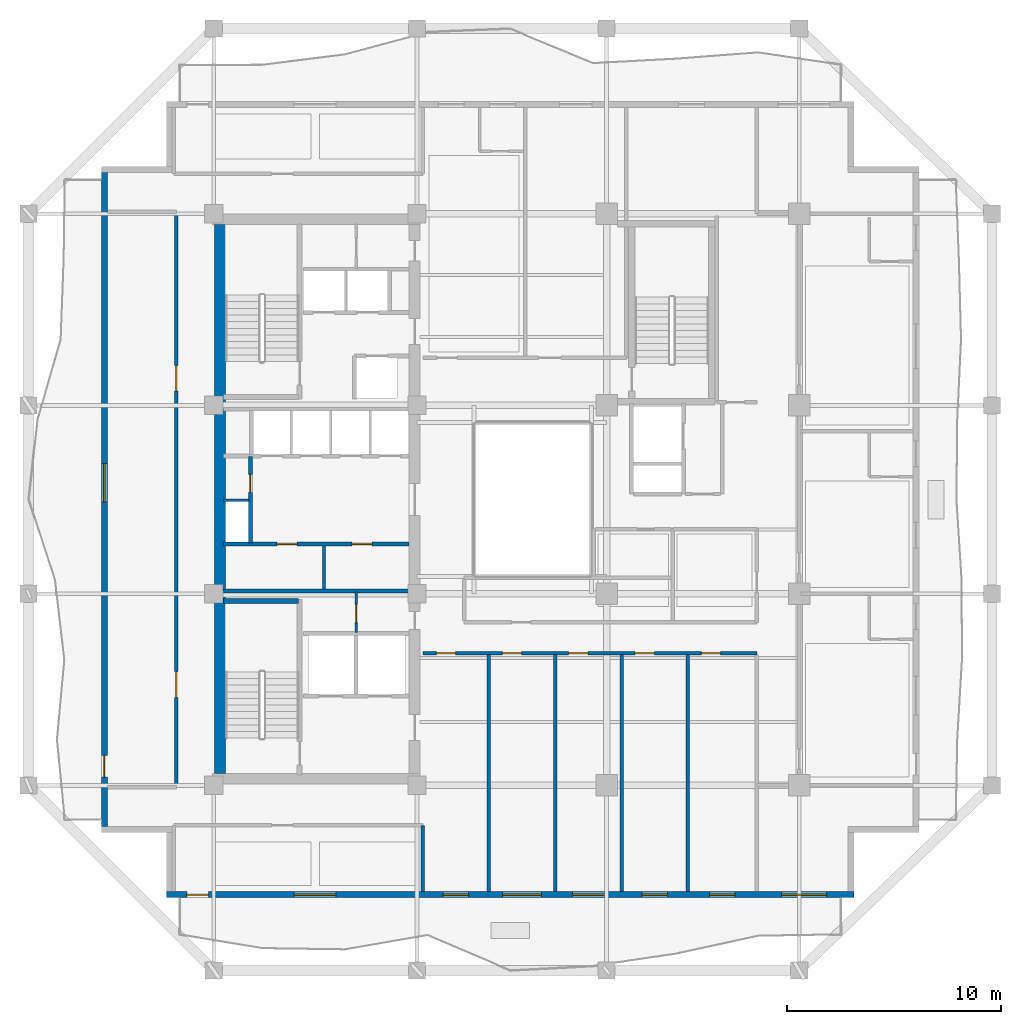
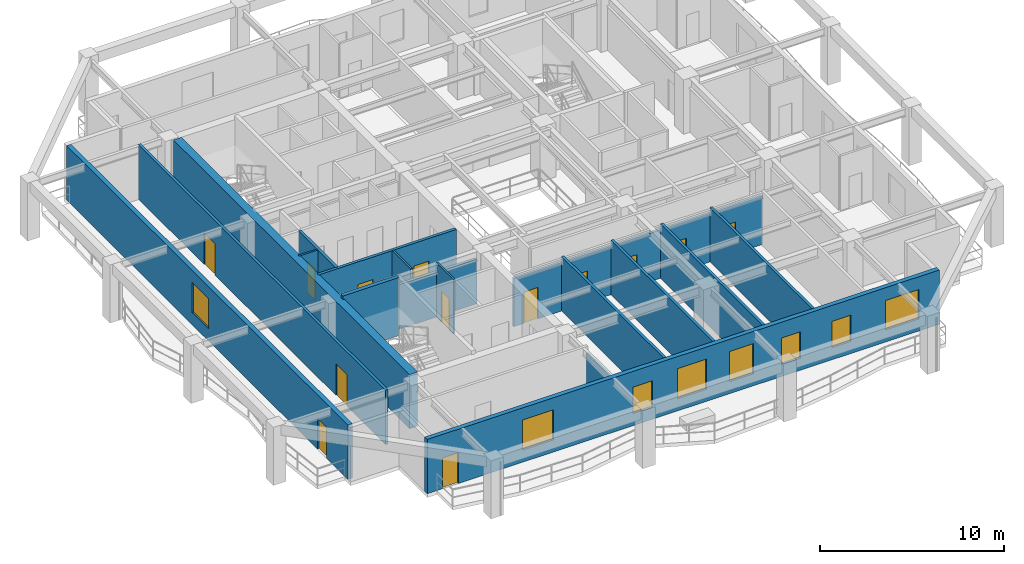
# One storey, part 3 of 11: 17 walls, 13 doors, 8 windows, 21 openings.
"""IFC4 building model written with IfcOpenShell, lengths in metres."""

from ifc_helpers import new_model, si_unit, direction, frame, frame_2d, origin, place, context, subcontext, project, spatial, rectangle, extrude, material, layer, layer_set, type_object, element, fill, save


model = new_model("IFC4")

# Units and contexts
model_context = context("Model", 3, precision=1e-05, world=origin(), true_north=direction((0.0, 1.0)))
body_context = subcontext(model_context, "Body", "Model", "MODEL_VIEW")
ifc_project = project(units=[si_unit("LENGTHUNIT", "METRE"), si_unit("AREAUNIT", "SQUARE_METRE"), si_unit("VOLUMEUNIT", "CUBIC_METRE"), si_unit("PLANEANGLEUNIT", "RADIAN"), si_unit("MASSUNIT", "GRAM", prefix="KILO")], contexts=[model_context])

# Site, building, storey
site_placement = place(None, origin())
site = spatial("IfcSite", under=ifc_project, at=site_placement, CompositionType="ELEMENT")
building_placement = place(site_placement, origin())
building = spatial("IfcBuilding", under=site, at=building_placement, Name="Kundavana Baori Tower", CompositionType="ELEMENT")
storey_placement = place(building_placement, frame((0.0, 0.0, 142.5)))
storey = spatial("IfcBuildingStorey", under=building, at=storey_placement, Name="L34", CompositionType="ELEMENT", Elevation=142.5)

# Walls
ifc_material_1 = material(Name="Concrete C50/60", Category="concrete")
ifc_layer_1 = layer(ifc_material_1, 0.39990234375, Name="WL-CORE-400")
ifc_layer_set_1 = layer_set([ifc_layer_1], Name="Concrete C50/60")
wall_type_1 = type_object("IfcWallType", Name="WL-CORE-400", PredefinedType="SHEAR", material=ifc_layer_set_1)
wall_1_placement = place(storey_placement, frame((15.89990234375, 23.860107421875, 0.0), z_axis=(0.0, 0.0, 1.0), x_axis=(1.0, 0.0, 0.0)))
element("IfcWall", 1, at=wall_1_placement, inside=storey, type_object=wall_type_1, Name="WL-L34-ST1-N", PredefinedType="SHEAR", context=body_context, shape_type="SweptSolid", body=[
    extrude(rectangle(XDim=3.52001953125, YDim=0.239990234375, at=frame_2d((1.760009765625, 0.0))), origin(), (0.0, 0.0, 1.0), 3.85009765625),
])
ifc_material_2 = material(Name="Concrete C50/60", Category="concrete")
ifc_layer_2 = layer(ifc_material_2, 0.5, Name="WL-CORE-500")
ifc_layer_set_2 = layer_set([ifc_layer_2], Name="Concrete C50/60")
wall_type_2 = type_object("IfcWallType", Name="WL-CORE-500", PredefinedType="SHEAR", material=ifc_layer_set_2)
wall_2_placement = place(storey_placement, frame((15.739990234375, 15.81005859375, 0.0), z_axis=(0.0, 0.0, 1.0), x_axis=(0.0, 1.0, 0.0)))
element("IfcWall", 2, at=wall_2_placement, inside=storey, type_object=wall_type_2, Name="L34 Offset Core West Shear Wall", PredefinedType="SHEAR", context=body_context, shape_type="SweptSolid", body=[
    extrude(rectangle(XDim=25.6298828125, YDim=0.5, at=frame_2d((12.81494140625, 0.0))), origin(), (0.0, 0.0, 1.0), 3.60009765625),
])

# Wall, openings, door, windows
ifc_material_3 = material(Name="Red-Buff Dholpur Sandstone Cladding on Concrete C40/50", Category="masonry")
ifc_layer_3 = layer(ifc_material_3, 0.280029296875, Name="WL-EXT-SAND-280")
ifc_layer_set_3 = layer_set([ifc_layer_3], Name="Red-Buff Dholpur Sandstone Cladding on Concrete C40/50")
wall_type_3 = type_object("IfcWallType", Name="WL-EXT-SAND-280", PredefinedType="STANDARD", material=ifc_layer_set_3)
wall_3_placement = place(storey_placement, frame((13.25, 10.139892578125, 0.0), z_axis=(0.0, 0.0, 1.0), x_axis=(1.0, 0.0, 0.0)))
wall_3 = element("IfcWall", 3, at=wall_3_placement, inside=storey, type_object=wall_type_3, Name="L34 Exterior Insulated Facade Wall 01", PredefinedType="STANDARD", context=body_context, shape_type="SweptSolid", body=[
    extrude(rectangle(XDim=32.10009765625, YDim=0.280029296875, at=frame_2d((16.050048828125, 0.0))), origin(), (0.0, 0.0, 1.0), 3.60009765625),
])
opening_1_placement = place(wall_3_placement, frame((0.949951171875, 0.0, 0.0)))
opening_1 = element("IfcOpeningElement", 4, at=opening_1_placement, cuts=wall_3, Name="Opening BD-1", PredefinedType="OPENING", context=body_context, shape_type="SweptSolid", body=[
    extrude(rectangle(XDim=1.0, YDim=2.050048828125, at=frame_2d((0.5, 1.02490234375))), frame((0.0, 0.14990234375, 0.0), z_axis=(0.0, -1.0, 0.0), x_axis=(1.0, 0.0, 0.0)), (0.0, 0.0, 1.0), 0.300048828125),
])
opening_2_placement = place(wall_3_placement, frame((5.955078125, 0.0, 0.800048828125)))
opening_2 = element("IfcOpeningElement", 5, at=opening_2_placement, cuts=wall_3, Name="Opening W-09", PredefinedType="OPENING", context=body_context, shape_type="SweptSolid", body=[
    extrude(rectangle(XDim=1.949951171875, YDim=2.0, at=frame_2d((0.97509765625, 1.0))), frame((0.0, 0.14990234375, 0.0), z_axis=(0.0, -1.0, 0.0), x_axis=(1.0, 0.0, 0.0)), (0.0, 0.0, 1.0), 0.300048828125),
])
opening_3_placement = place(wall_3_placement, frame((12.909912109375, 0.0, 0.800048828125)))
opening_3 = element("IfcOpeningElement", 6, at=opening_3_placement, cuts=wall_3, Name="Opening W-03", PredefinedType="OPENING", context=body_context, shape_type="SweptSolid", body=[
    extrude(rectangle(XDim=1.199951171875, YDim=1.75, at=frame_2d((0.60009765625, 0.875))), frame((0.0, 0.14990234375, 0.0), z_axis=(0.0, -1.0, 0.0), x_axis=(1.0, 0.0, 0.0)), (0.0, 0.0, 1.0), 0.300048828125),
])
opening_4_placement = place(wall_3_placement, frame((15.699951171875, 0.0, 0.800048828125)))
opening_4 = element("IfcOpeningElement", 7, at=opening_4_placement, cuts=wall_3, Name="Opening W-01", PredefinedType="OPENING", context=body_context, shape_type="SweptSolid", body=[
    extrude(rectangle(XDim=1.800048828125, YDim=2.0, at=frame_2d((0.89990234375, 1.0))), frame((0.0, 0.14990234375, 0.0), z_axis=(0.0, -1.0, 0.0), x_axis=(1.0, 0.0, 0.0)), (0.0, 0.0, 1.0), 0.300048828125),
])
opening_5_placement = place(wall_3_placement, frame((18.949951171875, 0.0, 0.800048828125)))
opening_5 = element("IfcOpeningElement", 8, at=opening_5_placement, cuts=wall_3, Name="Opening W-02", PredefinedType="OPENING", context=body_context, shape_type="SweptSolid", body=[
    extrude(rectangle(XDim=1.5, YDim=2.0, at=frame_2d((0.75, 1.0))), frame((0.0, 0.14990234375, 0.0), z_axis=(0.0, -1.0, 0.0), x_axis=(1.0, 0.0, 0.0)), (0.0, 0.0, 1.0), 0.300048828125),
])
opening_6_placement = place(wall_3_placement, frame((22.199951171875, 0.0, 0.800048828125)))
opening_6 = element("IfcOpeningElement", 9, at=opening_6_placement, cuts=wall_3, Name="Opening W-03", PredefinedType="OPENING", context=body_context, shape_type="SweptSolid", body=[
    extrude(rectangle(XDim=1.199951171875, YDim=1.75, at=frame_2d((0.60009765625, 0.875))), frame((0.0, 0.14990234375, 0.0), z_axis=(0.0, -1.0, 0.0), x_axis=(1.0, 0.0, 0.0)), (0.0, 0.0, 1.0), 0.300048828125),
])
opening_7_placement = place(wall_3_placement, frame((25.360107421875, 0.0, 0.800048828125)))
opening_7 = element("IfcOpeningElement", 10, at=opening_7_placement, cuts=wall_3, Name="Opening W-03", PredefinedType="OPENING", context=body_context, shape_type="SweptSolid", body=[
    extrude(rectangle(XDim=1.199951171875, YDim=1.75, at=frame_2d((0.60009765625, 0.875))), frame((0.0, 0.14990234375, 0.0), z_axis=(0.0, -1.0, 0.0), x_axis=(1.0, 0.0, 0.0)), (0.0, 0.0, 1.0), 0.300048828125),
])
opening_8_placement = place(wall_3_placement, frame((28.72998046875, 0.0, 0.800048828125)))
opening_8 = element("IfcOpeningElement", 11, at=opening_8_placement, cuts=wall_3, Name="Opening W-05", PredefinedType="OPENING", context=body_context, shape_type="SweptSolid", body=[
    extrude(rectangle(XDim=2.10009765625, YDim=1.949951171875, at=frame_2d((1.050048828125, 0.97509765625))), frame((0.0, 0.14990234375, 0.0), z_axis=(0.0, -1.0, 0.0), x_axis=(1.0, 0.0, 0.0)), (0.0, 0.0, 1.0), 0.300048828125),
])
ifc_material_4 = material(Name="Architectural Patinated Bronze Metalwork")
door_type_1 = type_object("IfcDoorType", Name="DR-EXT-LOG-1000", OperationType="NOTDEFINED", PredefinedType="DOOR", material=ifc_material_4)
door_1_placement = place(opening_1_placement, frame((1.0, 0.0, 0.0), z_axis=(0.0, 0.0, 1.0), x_axis=(-1.0, 0.0, 0.0)))
door_1 = element("IfcDoor", 12, at=door_1_placement, inside=storey, type_object=door_type_1, Name="L34 Loggia Balcony Access Door S", OperationType="SINGLE_SWING_LEFT", OverallHeight=2.050048828125, OverallWidth=1.0, PredefinedType="DOOR", context=body_context, shape_type="SweptSolid", body=[
    extrude(rectangle(XDim=1.0, YDim=2.050048828125, at=frame_2d((0.5, 1.02490234375))), frame((0.0, 0.02490234375, 0.0), z_axis=(0.0, -1.0, 0.0), x_axis=(1.0, 0.0, 0.0)), (0.0, 0.0, 1.0), 0.050048828125),
])
fill(opening_1, door_1)
ifc_material_5 = material(Name="Double-Glazed Solar-Control Low-E Insulated Glass", Category="glass")
window_type_1 = type_object("IfcWindowType", Name="WIN-LOG-1200x1750", PartitioningType="SINGLE_PANEL", PredefinedType="WINDOW", material=ifc_material_5)
window_1_placement = place(opening_3_placement, origin())
window_1 = element("IfcWindow", 13, at=window_1_placement, inside=storey, type_object=window_type_1, Name="L34 Recessed Loggia Window S-2", OverallHeight=1.75, OverallWidth=1.199951171875, PartitioningType="SINGLE_PANEL", PredefinedType="WINDOW", context=body_context, shape_type="SweptSolid", body=[
    extrude(rectangle(XDim=1.199951171875, YDim=1.75, at=frame_2d((0.60009765625, 0.875))), frame((0.0, 0.030029296875, 0.0), z_axis=(0.0, -1.0, 0.0), x_axis=(1.0, 0.0, 0.0)), (0.0, 0.0, 1.0), 0.06005859375),
])
fill(opening_3, window_1)
window_2_placement = place(opening_6_placement, origin())
window_2 = element("IfcWindow", 14, at=window_2_placement, inside=storey, type_object=window_type_1, Name="L34 Recessed Loggia Window S-5", OverallHeight=1.75, OverallWidth=1.199951171875, PartitioningType="SINGLE_PANEL", PredefinedType="WINDOW", context=body_context, shape_type="SweptSolid", body=[
    extrude(rectangle(XDim=1.199951171875, YDim=1.75, at=frame_2d((0.60009765625, 0.875))), frame((0.0, 0.030029296875, 0.0), z_axis=(0.0, -1.0, 0.0), x_axis=(1.0, 0.0, 0.0)), (0.0, 0.0, 1.0), 0.06005859375),
])
fill(opening_6, window_2)
window_3_placement = place(opening_7_placement, origin())
window_3 = element("IfcWindow", 15, at=window_3_placement, inside=storey, type_object=window_type_1, Name="L34 Recessed Loggia Window S-6", OverallHeight=1.75, OverallWidth=1.199951171875, PartitioningType="SINGLE_PANEL", PredefinedType="WINDOW", context=body_context, shape_type="SweptSolid", body=[
    extrude(rectangle(XDim=1.199951171875, YDim=1.75, at=frame_2d((0.60009765625, 0.875))), frame((0.0, 0.030029296875, 0.0), z_axis=(0.0, -1.0, 0.0), x_axis=(1.0, 0.0, 0.0)), (0.0, 0.0, 1.0), 0.06005859375),
])
fill(opening_7, window_3)
ifc_material_6 = material(Name="Double-Glazed Solar-Control Low-E Insulated Glass", Category="glass")
window_type_2 = type_object("IfcWindowType", Name="WIN-LOG-1500x2000", PartitioningType="SINGLE_PANEL", PredefinedType="WINDOW", material=ifc_material_6)
window_4_placement = place(opening_5_placement, origin())
window_4 = element("IfcWindow", 16, at=window_4_placement, inside=storey, type_object=window_type_2, Name="L34 Recessed Loggia Window S-4", OverallHeight=2.0, OverallWidth=1.5, PartitioningType="SINGLE_PANEL", PredefinedType="WINDOW", context=body_context, shape_type="SweptSolid", body=[
    extrude(rectangle(XDim=1.5, YDim=2.0, at=frame_2d((0.75, 1.0))), frame((0.0, 0.030029296875, 0.0), z_axis=(0.0, -1.0, 0.0), x_axis=(1.0, 0.0, 0.0)), (0.0, 0.0, 1.0), 0.06005859375),
])
fill(opening_5, window_4)
ifc_material_7 = material(Name="Double-Glazed Solar-Control Low-E Insulated Glass", Category="glass")
window_type_3 = type_object("IfcWindowType", Name="WIN-LOG-1800x2000", PartitioningType="SINGLE_PANEL", PredefinedType="WINDOW", material=ifc_material_7)
window_5_placement = place(opening_4_placement, origin())
window_5 = element("IfcWindow", 17, at=window_5_placement, inside=storey, type_object=window_type_3, Name="L34 Recessed Loggia Window S-3", OverallHeight=2.0, OverallWidth=1.800048828125, PartitioningType="SINGLE_PANEL", PredefinedType="WINDOW", context=body_context, shape_type="SweptSolid", body=[
    extrude(rectangle(XDim=1.800048828125, YDim=2.0, at=frame_2d((0.89990234375, 1.0))), frame((0.0, 0.030029296875, 0.0), z_axis=(0.0, -1.0, 0.0), x_axis=(1.0, 0.0, 0.0)), (0.0, 0.0, 1.0), 0.06005859375),
])
fill(opening_4, window_5)
ifc_material_8 = material(Name="Double-Glazed Solar-Control Low-E Insulated Glass", Category="glass")
window_type_4 = type_object("IfcWindowType", Name="WIN-LOG-1950x2000", PartitioningType="SINGLE_PANEL", PredefinedType="WINDOW", material=ifc_material_8)
window_6_placement = place(opening_2_placement, origin())
window_6 = element("IfcWindow", 18, at=window_6_placement, inside=storey, type_object=window_type_4, Name="L34 Recessed Loggia Window S-1", OverallHeight=2.0, OverallWidth=1.949951171875, PartitioningType="SINGLE_PANEL", PredefinedType="WINDOW", context=body_context, shape_type="SweptSolid", body=[
    extrude(rectangle(XDim=1.949951171875, YDim=2.0, at=frame_2d((0.97509765625, 1.0))), frame((0.0, 0.030029296875, 0.0), z_axis=(0.0, -1.0, 0.0), x_axis=(1.0, 0.0, 0.0)), (0.0, 0.0, 1.0), 0.06005859375),
])
fill(opening_2, window_6)
ifc_material_9 = material(Name="Double-Glazed Solar-Control Low-E Insulated Glass", Category="glass")
window_type_5 = type_object("IfcWindowType", Name="WIN-LOG-2100x1950", PartitioningType="SINGLE_PANEL", PredefinedType="WINDOW", material=ifc_material_9)
window_7_placement = place(opening_8_placement, origin())
window_7 = element("IfcWindow", 19, at=window_7_placement, inside=storey, type_object=window_type_5, Name="L34 Recessed Loggia Window S-7", OverallHeight=1.949951171875, OverallWidth=2.10009765625, PartitioningType="SINGLE_PANEL", PredefinedType="WINDOW", context=body_context, shape_type="SweptSolid", body=[
    extrude(rectangle(XDim=2.10009765625, YDim=1.949951171875, at=frame_2d((1.050048828125, 0.97509765625))), frame((0.0, 0.030029296875, 0.0), z_axis=(0.0, -1.0, 0.0), x_axis=(1.0, 0.0, 0.0)), (0.0, 0.0, 1.0), 0.06005859375),
])
fill(opening_8, window_7)

# Wall, openings, door, window
wall_4_placement = place(storey_placement, frame((10.340087890625, 43.8701171875, 0.0), z_axis=(0.0, 0.0, 1.0), x_axis=(0.0, -1.0, 0.0)))
wall_4 = element("IfcWall", 20, at=wall_4_placement, inside=storey, type_object=wall_type_3, Name="L34 Exterior Insulated Facade Wall 10", PredefinedType="STANDARD", context=body_context, shape_type="SweptSolid", body=[
    extrude(rectangle(XDim=30.5400390625, YDim=0.280029296875, at=frame_2d((15.27001953125, 0.0))), origin(), (0.0, 0.0, 1.0), 3.60009765625),
])
opening_9_placement = place(wall_4_placement, frame((27.219970703125, 0.0, 0.0)))
opening_9 = element("IfcOpeningElement", 21, at=opening_9_placement, cuts=wall_4, Name="Opening BD-1", PredefinedType="OPENING", context=body_context, shape_type="SweptSolid", body=[
    extrude(rectangle(XDim=1.0, YDim=2.050048828125, at=frame_2d((0.5, 1.02490234375))), frame((0.0, 0.14990234375, 0.0), z_axis=(0.0, -1.0, 0.0), x_axis=(1.0, 0.0, 0.0)), (0.0, 0.0, 1.0), 0.300048828125),
])
opening_10_placement = place(wall_4_placement, frame((13.594970703125, 0.0, 0.800048828125)))
opening_10 = element("IfcOpeningElement", 22, at=opening_10_placement, cuts=wall_4, Name="Opening W-01", PredefinedType="OPENING", context=body_context, shape_type="SweptSolid", body=[
    extrude(rectangle(XDim=1.800048828125, YDim=2.0, at=frame_2d((0.89990234375, 1.0))), frame((0.0, 0.14990234375, 0.0), z_axis=(0.0, -1.0, 0.0), x_axis=(1.0, 0.0, 0.0)), (0.0, 0.0, 1.0), 0.300048828125),
])
door_2_placement = place(opening_9_placement, frame((1.0, 0.0, 0.0), z_axis=(0.0, 0.0, 1.0), x_axis=(-1.0, 0.0, 0.0)))
door_2 = element("IfcDoor", 23, at=door_2_placement, inside=storey, type_object=door_type_1, Name="L34 Loggia Balcony Access Door W", OperationType="SINGLE_SWING_RIGHT", OverallHeight=2.050048828125, OverallWidth=1.0, PredefinedType="DOOR", context=body_context, shape_type="SweptSolid", body=[
    extrude(rectangle(XDim=1.0, YDim=2.050048828125, at=frame_2d((0.5, 1.02490234375))), frame((0.0, 0.02490234375, 0.0), z_axis=(0.0, -1.0, 0.0), x_axis=(1.0, 0.0, 0.0)), (0.0, 0.0, 1.0), 0.050048828125),
])
fill(opening_9, door_2)
window_8_placement = place(opening_10_placement, origin())
window_8 = element("IfcWindow", 24, at=window_8_placement, inside=storey, type_object=window_type_3, Name="L34 Recessed Loggia Window W-1", OverallHeight=2.0, OverallWidth=1.800048828125, PartitioningType="SINGLE_PANEL", PredefinedType="WINDOW", context=body_context, shape_type="SweptSolid", body=[
    extrude(rectangle(XDim=1.800048828125, YDim=2.0, at=frame_2d((0.89990234375, 1.0))), frame((0.0, 0.030029296875, 0.0), z_axis=(0.0, -1.0, 0.0), x_axis=(1.0, 0.0, 0.0)), (0.0, 0.0, 1.0), 0.06005859375),
])
fill(opening_10, window_8)

# Wall, opening, door
ifc_material_10 = material(Name="Acoustic Gypsum Plasterboard on Galvanised Steel Studs", Category="steel")
ifc_layer_4 = layer(ifc_material_10, 0.1201171875, Name="WL-PART-120")
ifc_layer_set_4 = layer_set([ifc_layer_4], Name="Acoustic Gypsum Plasterboard on Galvanised Steel Studs")
wall_type_4 = type_object("IfcWallType", Name="WL-PART-120", PredefinedType="PARTITIONING", material=ifc_layer_set_4)
wall_5_placement = place(storey_placement, frame((22.10009765625, 22.39990234375, 0.0), z_axis=(0.0, 0.0, 1.0), x_axis=(0.0, 1.0, 0.0)))
wall_5 = element("IfcWall", 25, at=wall_5_placement, inside=storey, type_object=wall_type_4, Name="WL-L34-CSMK-D1", PredefinedType="PARTITIONING", context=body_context, shape_type="SweptSolid", body=[
    extrude(rectangle(XDim=1.880126953125, YDim=0.1201171875, at=frame_2d((0.93994140625, 0.0))), origin(), (0.0, 0.0, 1.0), 3.60009765625),
])
opening_11_placement = place(wall_5_placement, frame((0.449951171875, 0.0, 0.0)))
opening_11 = element("IfcOpeningElement", 26, at=opening_11_placement, cuts=wall_5, Name="Opening FD-085", PredefinedType="OPENING", context=body_context, shape_type="SweptSolid", body=[
    extrude(rectangle(XDim=0.85009765625, YDim=2.06005859375, at=frame_2d((0.425048828125, 1.030029296875))), frame((0.0, 0.070068359375, 0.0), z_axis=(0.0, -1.0, 0.0), x_axis=(1.0, 0.0, 0.0)), (0.0, 0.0, 1.0), 0.14013671875),
])
ifc_material_11 = material(Name="Galvanised Steel Fire-Rated Door Leaf", Category="steel")
door_type_2 = type_object("IfcDoorType", Name="DR-FD60-850", OperationType="NOTDEFINED", PredefinedType="DOOR", material=ifc_material_11)
door_3_placement = place(opening_11_placement, origin())
door_3 = element("IfcDoor", 27, at=door_3_placement, inside=storey, type_object=door_type_2, Name="DR-L34-CSMK1", OperationType="SINGLE_SWING_LEFT", OverallHeight=2.06005859375, OverallWidth=0.85009765625, PredefinedType="DOOR", context=body_context, shape_type="SweptSolid", body=[
    extrude(rectangle(XDim=0.85009765625, YDim=2.06005859375, at=frame_2d((0.425048828125, 1.030029296875))), frame((0.0, 0.02490234375, 0.0), z_axis=(0.0, -1.0, 0.0), x_axis=(1.0, 0.0, 0.0)), (0.0, 0.0, 1.0), 0.050048828125),
])
fill(opening_11, door_3)

# Walls
wall_6_placement = place(storey_placement, frame((20.60009765625, 24.419921875, 0.0), z_axis=(0.0, 0.0, 1.0), x_axis=(0.0, 1.0, 0.0)))
element("IfcWall", 28, at=wall_6_placement, inside=storey, type_object=wall_type_4, Name="WL-L34-FRLOW-DIV", PredefinedType="PARTITIONING", context=body_context, shape_type="SweptSolid", body=[
    extrude(rectangle(XDim=2.02001953125, YDim=0.1201171875, at=frame_2d((1.010009765625, 0.0))), origin(), (0.0, 0.0, 1.0), 3.60009765625),
])
wall_7_placement = place(storey_placement, frame((15.89990234375, 28.56005859375, 0.0), z_axis=(0.0, 0.0, 1.0), x_axis=(1.0, 0.0, 0.0)))
element("IfcWall", 29, at=wall_7_placement, inside=storey, type_object=wall_type_4, Name="WL-L34-RSRW-N", PredefinedType="PARTITIONING", context=body_context, shape_type="SweptSolid", body=[
    extrude(rectangle(XDim=1.2001953125, YDim=0.1201171875, at=frame_2d((0.60009765625, 0.0))), origin(), (0.0, 0.0, 1.0), 3.60009765625),
])

# Wall, openings, doors
ifc_material_12 = material(Name="Fire-Rated Gypsum Drywall on Galvanised Steel Studs", Category="steel")
ifc_layer_5 = layer(ifc_material_12, 0.1650390625, Name="WL-PART-165")
ifc_layer_set_5 = layer_set([ifc_layer_5], Name="Fire-Rated Gypsum Drywall on Galvanised Steel Studs")
wall_type_5 = type_object("IfcWallType", Name="WL-PART-165", PredefinedType="PARTITIONING", material=ifc_layer_set_5)
wall_8_placement = place(storey_placement, frame((25.219970703125, 21.419921875, 0.0), z_axis=(0.0, 0.0, 1.0), x_axis=(1.0, 0.0, 0.0)))
wall_8 = element("IfcWall", 30, at=wall_8_placement, inside=storey, type_object=wall_type_5, Name="WL-L34-HS", PredefinedType="PARTITIONING", context=body_context, shape_type="SweptSolid", body=[
    extrude(rectangle(XDim=15.60009765625, YDim=0.1650390625, at=frame_2d((7.800048828125, 0.0))), origin(), (0.0, 0.0, 1.0), 3.199951171875),
])
opening_12_placement = place(wall_8_placement, frame((0.6298828125, 0.0, 0.0)))
opening_12 = element("IfcOpeningElement", 31, at=opening_12_placement, cuts=wall_8, Name="Opening ID-090", PredefinedType="OPENING", context=body_context, shape_type="SweptSolid", body=[
    extrude(rectangle(XDim=0.89990234375, YDim=2.080078125, at=frame_2d((0.449951171875, 1.0400390625))), frame((0.0, 0.092529296875, 0.0), z_axis=(0.0, -1.0, 0.0), x_axis=(1.0, 0.0, 0.0)), (0.0, 0.0, 1.0), 0.18505859375),
])
opening_13_placement = place(wall_8_placement, frame((3.7099609375, 0.0, 0.0)))
opening_13 = element("IfcOpeningElement", 32, at=opening_13_placement, cuts=wall_8, Name="Opening ID-090", PredefinedType="OPENING", context=body_context, shape_type="SweptSolid", body=[
    extrude(rectangle(XDim=0.89990234375, YDim=2.080078125, at=frame_2d((0.449951171875, 1.0400390625))), frame((0.0, 0.092529296875, 0.0), z_axis=(0.0, -1.0, 0.0), x_axis=(1.0, 0.0, 0.0)), (0.0, 0.0, 1.0), 0.18505859375),
])
opening_14_placement = place(wall_8_placement, frame((6.81005859375, 0.0, 0.0)))
opening_14 = element("IfcOpeningElement", 33, at=opening_14_placement, cuts=wall_8, Name="Opening ID-090", PredefinedType="OPENING", context=body_context, shape_type="SweptSolid", body=[
    extrude(rectangle(XDim=0.89990234375, YDim=2.080078125, at=frame_2d((0.449951171875, 1.0400390625))), frame((0.0, 0.092529296875, 0.0), z_axis=(0.0, -1.0, 0.0), x_axis=(1.0, 0.0, 0.0)), (0.0, 0.0, 1.0), 0.18505859375),
])
opening_15_placement = place(wall_8_placement, frame((9.909912109375, 0.0, 0.0)))
opening_15 = element("IfcOpeningElement", 34, at=opening_15_placement, cuts=wall_8, Name="Opening ID-090", PredefinedType="OPENING", context=body_context, shape_type="SweptSolid", body=[
    extrude(rectangle(XDim=0.89990234375, YDim=2.080078125, at=frame_2d((0.449951171875, 1.0400390625))), frame((0.0, 0.092529296875, 0.0), z_axis=(0.0, -1.0, 0.0), x_axis=(1.0, 0.0, 0.0)), (0.0, 0.0, 1.0), 0.18505859375),
])
opening_16_placement = place(wall_8_placement, frame((13.010009765625, 0.0, 0.0)))
opening_16 = element("IfcOpeningElement", 35, at=opening_16_placement, cuts=wall_8, Name="Opening ID-090", PredefinedType="OPENING", context=body_context, shape_type="SweptSolid", body=[
    extrude(rectangle(XDim=0.89990234375, YDim=2.080078125, at=frame_2d((0.449951171875, 1.0400390625))), frame((0.0, 0.092529296875, 0.0), z_axis=(0.0, -1.0, 0.0), x_axis=(1.0, 0.0, 0.0)), (0.0, 0.0, 1.0), 0.18505859375),
])
ifc_material_13 = material(Name="Engineered Teak Solid-Core Timber Veneer", Category="wood")
door_type_3 = type_object("IfcDoorType", Name="DR-INT-900", OperationType="NOTDEFINED", PredefinedType="DOOR", material=ifc_material_13)
door_4_placement = place(opening_12_placement, frame((0.89990234375, 0.0, 0.0), z_axis=(0.0, 0.0, 1.0), x_axis=(-1.0, 0.0, 0.0)))
door_4 = element("IfcDoor", 36, at=door_4_placement, inside=storey, type_object=door_type_3, Name="DR-L34-HCS1", OperationType="SINGLE_SWING_RIGHT", OverallHeight=2.080078125, OverallWidth=0.89990234375, PredefinedType="DOOR", context=body_context, shape_type="SweptSolid", body=[
    extrude(rectangle(XDim=0.89990234375, YDim=2.080078125, at=frame_2d((0.449951171875, 1.0400390625))), frame((0.0, 0.02490234375, 0.0), z_axis=(0.0, -1.0, 0.0), x_axis=(1.0, 0.0, 0.0)), (0.0, 0.0, 1.0), 0.050048828125),
])
fill(opening_12, door_4)
door_5_placement = place(opening_13_placement, frame((0.89990234375, 0.0, 0.0), z_axis=(0.0, 0.0, 1.0), x_axis=(-1.0, 0.0, 0.0)))
door_5 = element("IfcDoor", 37, at=door_5_placement, inside=storey, type_object=door_type_3, Name="DR-L34-HCS2", OperationType="SINGLE_SWING_RIGHT", OverallHeight=2.080078125, OverallWidth=0.89990234375, PredefinedType="DOOR", context=body_context, shape_type="SweptSolid", body=[
    extrude(rectangle(XDim=0.89990234375, YDim=2.080078125, at=frame_2d((0.449951171875, 1.0400390625))), frame((0.0, 0.02490234375, 0.0), z_axis=(0.0, -1.0, 0.0), x_axis=(1.0, 0.0, 0.0)), (0.0, 0.0, 1.0), 0.050048828125),
])
fill(opening_13, door_5)
door_6_placement = place(opening_14_placement, frame((0.89990234375, 0.0, 0.0), z_axis=(0.0, 0.0, 1.0), x_axis=(-1.0, 0.0, 0.0)))
door_6 = element("IfcDoor", 38, at=door_6_placement, inside=storey, type_object=door_type_3, Name="DR-L34-HCS3", OperationType="SINGLE_SWING_RIGHT", OverallHeight=2.080078125, OverallWidth=0.89990234375, PredefinedType="DOOR", context=body_context, shape_type="SweptSolid", body=[
    extrude(rectangle(XDim=0.89990234375, YDim=2.080078125, at=frame_2d((0.449951171875, 1.0400390625))), frame((0.0, 0.02490234375, 0.0), z_axis=(0.0, -1.0, 0.0), x_axis=(1.0, 0.0, 0.0)), (0.0, 0.0, 1.0), 0.050048828125),
])
fill(opening_14, door_6)
door_7_placement = place(opening_15_placement, frame((0.89990234375, 0.0, 0.0), z_axis=(0.0, 0.0, 1.0), x_axis=(-1.0, 0.0, 0.0)))
door_7 = element("IfcDoor", 39, at=door_7_placement, inside=storey, type_object=door_type_3, Name="DR-L34-HCS4", OperationType="SINGLE_SWING_RIGHT", OverallHeight=2.080078125, OverallWidth=0.89990234375, PredefinedType="DOOR", context=body_context, shape_type="SweptSolid", body=[
    extrude(rectangle(XDim=0.89990234375, YDim=2.080078125, at=frame_2d((0.449951171875, 1.0400390625))), frame((0.0, 0.02490234375, 0.0), z_axis=(0.0, -1.0, 0.0), x_axis=(1.0, 0.0, 0.0)), (0.0, 0.0, 1.0), 0.050048828125),
])
fill(opening_15, door_7)
door_8_placement = place(opening_16_placement, frame((0.89990234375, 0.0, 0.0), z_axis=(0.0, 0.0, 1.0), x_axis=(-1.0, 0.0, 0.0)))
door_8 = element("IfcDoor", 40, at=door_8_placement, inside=storey, type_object=door_type_3, Name="DR-L34-HCS5", OperationType="SINGLE_SWING_RIGHT", OverallHeight=2.080078125, OverallWidth=0.89990234375, PredefinedType="DOOR", context=body_context, shape_type="SweptSolid", body=[
    extrude(rectangle(XDim=0.89990234375, YDim=2.080078125, at=frame_2d((0.449951171875, 1.0400390625))), frame((0.0, 0.02490234375, 0.0), z_axis=(0.0, -1.0, 0.0), x_axis=(1.0, 0.0, 0.0)), (0.0, 0.0, 1.0), 0.050048828125),
])
fill(opening_16, door_8)

wall_9_placement = place(storey_placement, frame((13.699951171875, 15.159912109375, 0.0), z_axis=(0.0, 0.0, 1.0), x_axis=(0.0, 1.0, 0.0)))
wall_9 = element("IfcWall", 41, at=wall_9_placement, inside=storey, type_object=wall_type_5, Name="WL-L34-HW", PredefinedType="PARTITIONING", context=body_context, shape_type="SweptSolid", body=[
    extrude(rectangle(XDim=26.880126953125, YDim=0.1650390625, at=frame_2d((13.43994140625, 0.0))), origin(), (0.0, 0.0, 1.0), 3.60009765625),
])
opening_17_placement = place(wall_9_placement, frame((4.199951171875, 0.0, 0.0)))
opening_17 = element("IfcOpeningElement", 42, at=opening_17_placement, cuts=wall_9, Name="Opening ID-120", PredefinedType="OPENING", context=body_context, shape_type="SweptSolid", body=[
    extrude(rectangle(XDim=1.199951171875, YDim=2.10009765625, at=frame_2d((0.60009765625, 1.050048828125))), frame((0.0, 0.092529296875, 0.0), z_axis=(0.0, -1.0, 0.0), x_axis=(1.0, 0.0, 0.0)), (0.0, 0.0, 1.0), 0.18505859375),
])
opening_18_placement = place(wall_9_placement, frame((18.5, 0.0, 0.0)))
opening_18 = element("IfcOpeningElement", 43, at=opening_18_placement, cuts=wall_9, Name="Opening ID-120", PredefinedType="OPENING", context=body_context, shape_type="SweptSolid", body=[
    extrude(rectangle(XDim=1.199951171875, YDim=2.10009765625, at=frame_2d((0.60009765625, 1.050048828125))), frame((0.0, 0.092529296875, 0.0), z_axis=(0.0, -1.0, 0.0), x_axis=(1.0, 0.0, 0.0)), (0.0, 0.0, 1.0), 0.18505859375),
])
ifc_material_14 = material(Name="Engineered Teak Solid-Core Timber Veneer", Category="wood")
door_type_4 = type_object("IfcDoorType", Name="DR-INT-1200", OperationType="NOTDEFINED", PredefinedType="DOOR", material=ifc_material_14)
door_9_placement = place(opening_17_placement, origin())
door_9 = element("IfcDoor", 44, at=door_9_placement, inside=storey, type_object=door_type_4, Name="DR-L34-HCW1", OperationType="SINGLE_SWING_LEFT", OverallHeight=2.10009765625, OverallWidth=1.199951171875, PredefinedType="DOOR", context=body_context, shape_type="SweptSolid", body=[
    extrude(rectangle(XDim=1.199951171875, YDim=2.10009765625, at=frame_2d((0.60009765625, 1.050048828125))), frame((0.0, 0.02490234375, 0.0), z_axis=(0.0, -1.0, 0.0), x_axis=(1.0, 0.0, 0.0)), (0.0, 0.0, 1.0), 0.050048828125),
])
fill(opening_17, door_9)
door_10_placement = place(opening_18_placement, origin())
door_10 = element("IfcDoor", 45, at=door_10_placement, inside=storey, type_object=door_type_4, Name="DR-L34-HCW2", OperationType="SINGLE_SWING_RIGHT", OverallHeight=2.10009765625, OverallWidth=1.199951171875, PredefinedType="DOOR", context=body_context, shape_type="SweptSolid", body=[
    extrude(rectangle(XDim=1.199951171875, YDim=2.10009765625, at=frame_2d((0.60009765625, 1.050048828125))), frame((0.0, 0.02490234375, 0.0), z_axis=(0.0, -1.0, 0.0), x_axis=(1.0, 0.0, 0.0)), (0.0, 0.0, 1.0), 0.050048828125),
])
fill(opening_18, door_10)

# Walls
wall_10_placement = place(storey_placement, frame((25.219970703125, 10.280029296875, 0.0), z_axis=(0.0, 0.0, 1.0), x_axis=(0.0, 1.0, 0.0)))
element("IfcWall", 46, at=wall_10_placement, inside=storey, type_object=wall_type_5, Name="WL-L34-HSCE", PredefinedType="PARTITIONING", context=body_context, shape_type="SweptSolid", body=[
    extrude(rectangle(XDim=3.099853515625, YDim=0.1650390625, at=frame_2d((1.5498046875, 0.0))), origin(), (0.0, 0.0, 1.0), 3.10009765625),
])
for number, where, z_axis, x_axis, name in (
    (47, (28.300048828125, 10.280029296875, 0.0), (0.0, 0.0, 1.0), (0.0, 1.0, 0.0), "WL-L34-HSD1"),
    (48, (31.39990234375, 10.280029296875, 0.0), (0.0, 0.0, 1.0), (0.0, 1.0, 0.0), "WL-L34-HSD2"),
    (49, (34.5, 10.280029296875, 0.0), (0.0, 0.0, 1.0), (0.0, 1.0, 0.0), "WL-L34-HSD3"),
    (50, (37.60009765625, 10.280029296875, 0.0), (0.0, 0.0, 1.0), (0.0, 1.0, 0.0), "WL-L34-HSD4"),
):
    element("IfcWall", number, at=place(storey_placement, frame(where, z_axis=z_axis, x_axis=x_axis)), inside=storey, type_object=wall_type_5, Name=name, PredefinedType="PARTITIONING", context=body_context, shape_type="SweptSolid", body=[
        extrude(rectangle(XDim=11.080078125, YDim=0.1650390625, at=frame_2d((5.5400390625, 0.0))), origin(), (0.0, 0.0, 1.0), 3.60009765625),
    ])

# Wall, openings, doors
ifc_material_15 = material(Name="Autoclaved Aerated Concrete Blockwork Masonry", Category="masonry")
ifc_layer_6 = layer(ifc_material_15, 0.179931640625, Name="WL-SHAFT-180")
ifc_layer_set_6 = layer_set([ifc_layer_6], Name="Autoclaved Aerated Concrete Blockwork Masonry")
wall_type_6 = type_object("IfcWallType", Name="WL-SHAFT-180", PredefinedType="SOLIDWALL", material=ifc_layer_set_6)
wall_11_placement = place(storey_placement, frame((15.89990234375, 26.52001953125, 0.0), z_axis=(0.0, 0.0, 1.0), x_axis=(1.0, 0.0, 0.0)))
wall_11 = element("IfcWall", 51, at=wall_11_placement, inside=storey, type_object=wall_type_6, Name="WL-L34-LPLOW-N", PredefinedType="SOLIDWALL", context=body_context, shape_type="SweptSolid", body=[
    extrude(rectangle(XDim=8.68017578125, YDim=0.179931640625, at=frame_2d((4.340087890625, 0.0))), origin(), (0.0, 0.0, 1.0), 3.60009765625),
])
opening_19_placement = place(wall_11_placement, frame((2.5, 0.0, 0.0)))
opening_19 = element("IfcOpeningElement", 52, at=opening_19_placement, cuts=wall_11, Name="Opening FD-095", PredefinedType="OPENING", context=body_context, shape_type="SweptSolid", body=[
    extrude(rectangle(XDim=0.949951171875, YDim=2.10009765625, at=frame_2d((0.47509765625, 1.050048828125))), frame((0.0, 0.10009765625, 0.0), z_axis=(0.0, -1.0, 0.0), x_axis=(1.0, 0.0, 0.0)), (0.0, 0.0, 1.0), 0.199951171875),
])
opening_20_placement = place(wall_11_placement, frame((6.0, 0.0, 0.0)))
opening_20 = element("IfcOpeningElement", 53, at=opening_20_placement, cuts=wall_11, Name="Opening FD-095", PredefinedType="OPENING", context=body_context, shape_type="SweptSolid", body=[
    extrude(rectangle(XDim=0.949951171875, YDim=2.10009765625, at=frame_2d((0.47509765625, 1.050048828125))), frame((0.0, 0.10009765625, 0.0), z_axis=(0.0, -1.0, 0.0), x_axis=(1.0, 0.0, 0.0)), (0.0, 0.0, 1.0), 0.199951171875),
])
ifc_material_16 = material(Name="Engineered Teak Fire-Rated Timber Door Leaf", Category="wood")
door_type_5 = type_object("IfcDoorType", Name="DR-FD60-950", OperationType="NOTDEFINED", PredefinedType="DOOR", material=ifc_material_16)
door_11_placement = place(opening_19_placement, origin())
door_11 = element("IfcDoor", 54, at=door_11_placement, inside=storey, type_object=door_type_5, Name="DR-L34-FRLOW1", OperationType="SINGLE_SWING_LEFT", OverallHeight=2.10009765625, OverallWidth=0.949951171875, PredefinedType="DOOR", context=body_context, shape_type="SweptSolid", body=[
    extrude(rectangle(XDim=0.949951171875, YDim=2.10009765625, at=frame_2d((0.47509765625, 1.050048828125))), frame((0.0, 0.02490234375, 0.0), z_axis=(0.0, -1.0, 0.0), x_axis=(1.0, 0.0, 0.0)), (0.0, 0.0, 1.0), 0.050048828125),
])
fill(opening_19, door_11)
door_12_placement = place(opening_20_placement, origin())
door_12 = element("IfcDoor", 55, at=door_12_placement, inside=storey, type_object=door_type_5, Name="DR-L34-FRLOW2", OperationType="SINGLE_SWING_RIGHT", OverallHeight=2.10009765625, OverallWidth=0.949951171875, PredefinedType="DOOR", context=body_context, shape_type="SweptSolid", body=[
    extrude(rectangle(XDim=0.949951171875, YDim=2.10009765625, at=frame_2d((0.47509765625, 1.050048828125))), frame((0.0, 0.02490234375, 0.0), z_axis=(0.0, -1.0, 0.0), x_axis=(1.0, 0.0, 0.0)), (0.0, 0.0, 1.0), 0.050048828125),
])
fill(opening_20, door_12)

# Wall
wall_12_placement = place(storey_placement, frame((15.89990234375, 24.330078125, 0.0), z_axis=(0.0, 0.0, 1.0), x_axis=(1.0, 0.0, 0.0)))
element("IfcWall", 56, at=wall_12_placement, inside=storey, type_object=wall_type_6, Name="WL-L34-LPLOW-S", PredefinedType="SOLIDWALL", context=body_context, shape_type="SweptSolid", body=[
    extrude(rectangle(XDim=8.68017578125, YDim=0.179931640625, at=frame_2d((4.340087890625, 0.0))), origin(), (0.0, 0.0, 1.0), 2.949951171875),
])

# Wall, opening, door
wall_13_placement = place(storey_placement, frame((17.159912109375, 26.580078125, 0.0), z_axis=(0.0, 0.0, 1.0), x_axis=(0.0, 1.0, 0.0)))
wall_13 = element("IfcWall", 57, at=wall_13_placement, inside=storey, type_object=wall_type_6, Name="WL-L34-RSRW-E", PredefinedType="SOLIDWALL", context=body_context, shape_type="SweptSolid", body=[
    extrude(rectangle(XDim=4.02001953125, YDim=0.179931640625, at=frame_2d((2.010009765625, 0.0))), origin(), (0.0, 0.0, 1.0), 3.60009765625),
])
opening_21_placement = place(wall_13_placement, frame((2.35009765625, 0.0, 0.0)))
opening_21 = element("IfcOpeningElement", 58, at=opening_21_placement, cuts=wall_13, Name="Opening FD-085", PredefinedType="OPENING", context=body_context, shape_type="SweptSolid", body=[
    extrude(rectangle(XDim=0.85009765625, YDim=2.06005859375, at=frame_2d((0.425048828125, 1.030029296875))), frame((0.0, 0.10009765625, 0.0), z_axis=(0.0, -1.0, 0.0), x_axis=(1.0, 0.0, 0.0)), (0.0, 0.0, 1.0), 0.199951171875),
])
door_13_placement = place(opening_21_placement, origin())
door_13 = element("IfcDoor", 59, at=door_13_placement, inside=storey, type_object=door_type_2, Name="DR-L34-CLN", OperationType="SINGLE_SWING_RIGHT", OverallHeight=2.06005859375, OverallWidth=0.85009765625, PredefinedType="DOOR", context=body_context, shape_type="SweptSolid", body=[
    extrude(rectangle(XDim=0.85009765625, YDim=2.06005859375, at=frame_2d((0.425048828125, 1.030029296875))), frame((0.0, 0.02490234375, 0.0), z_axis=(0.0, -1.0, 0.0), x_axis=(1.0, 0.0, 0.0)), (0.0, 0.0, 1.0), 0.050048828125),
])
fill(opening_21, door_13)

save(model, "model.ifc")
